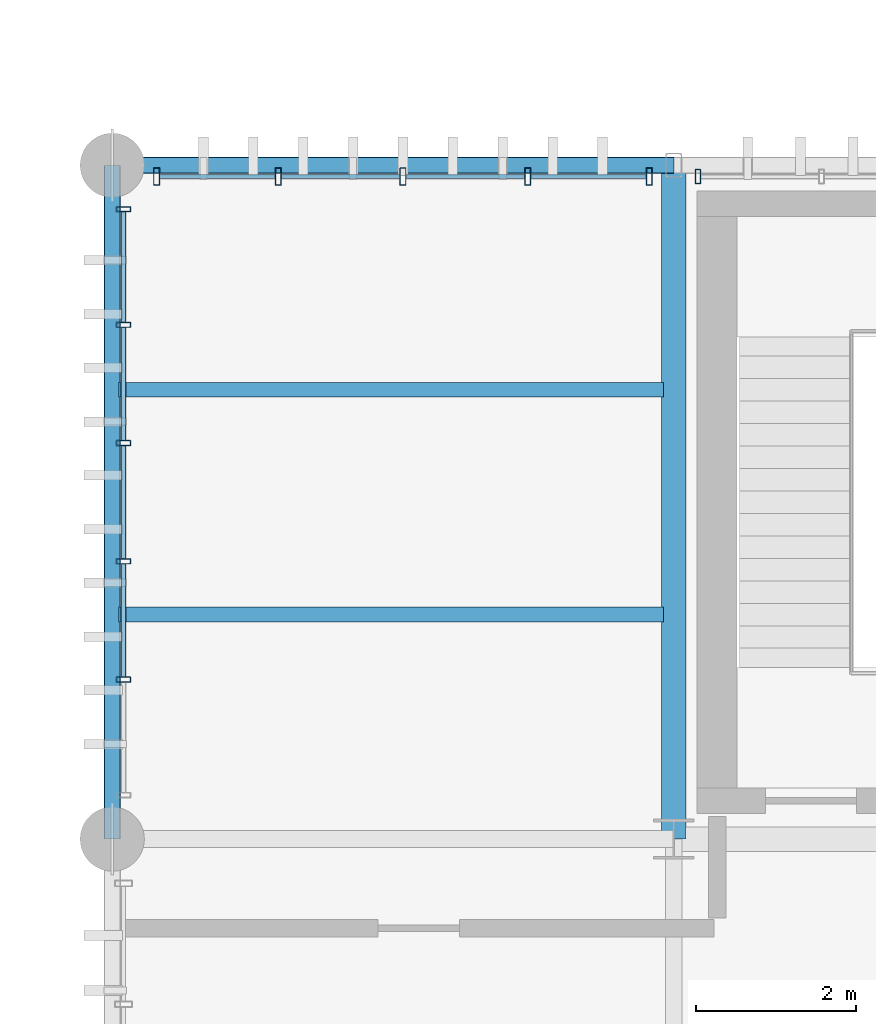
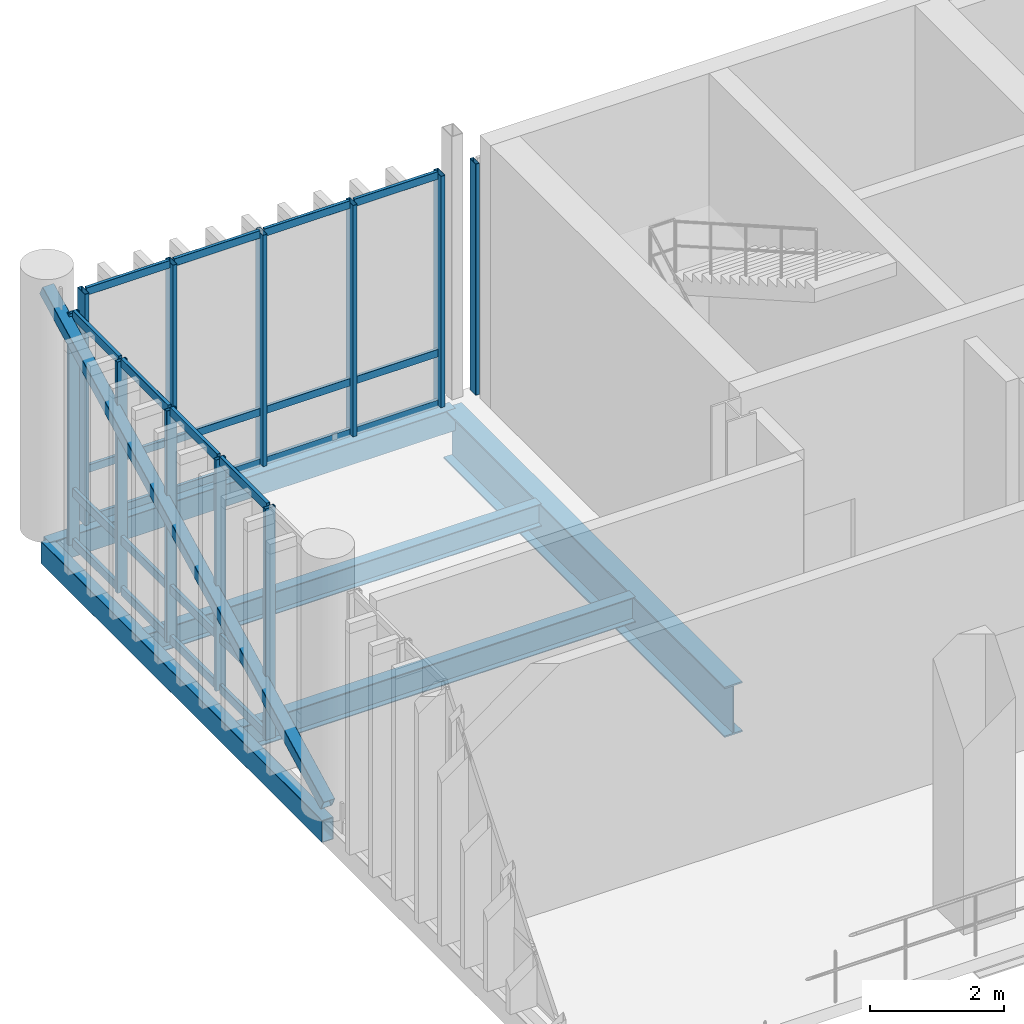
# One storey, part 29 of 109: 36 members, 5 beams, 3 elements without a shape of their own.
"""IFC4 building model written with IfcOpenShell, lengths in metres."""

from ifc_helpers import new_model, si_unit, direction, frame, origin_with_axes, origin_2d_with_axis, place, context, subcontext, project, spatial, hollow_rectangle, i_section, extrude, material, material_profile, profile_set, type_object, element, aggregate, save


model = new_model("IFC4")

# Units and contexts
model_context = context("Model", 3, precision=1e-05, world=origin_with_axes(), true_north=direction((0.0, 1.0)))
body_context = subcontext(model_context, "Body", "Model", "MODEL_VIEW")
ifc_project = project(units=[si_unit("LENGTHUNIT", "METRE"), si_unit("AREAUNIT", "SQUARE_METRE"), si_unit("VOLUMEUNIT", "CUBIC_METRE"), si_unit("PLANEANGLEUNIT", "RADIAN"), si_unit("MASSUNIT", "GRAM", prefix="KILO"), si_unit("THERMODYNAMICTEMPERATUREUNIT", "KELVIN")], contexts=[model_context])

# Site, building, storey
site_placement = place(None, origin_with_axes())
site = spatial("IfcSite", under=ifc_project, at=site_placement, CompositionType="ELEMENT")
building_placement = place(site_placement, origin_with_axes())
building = spatial("IfcBuilding", under=site, at=building_placement, Name="Montbau Bow Law Courts", CompositionType="ELEMENT")
storey_placement = place(building_placement, frame((0.0, 0.0, 10.8), z_axis=(0.0, 0.0, 1.0), x_axis=(1.0, 0.0, 0.0)))
storey = spatial("IfcBuildingStorey", under=building, at=storey_placement, Name="L02", CompositionType="ELEMENT", Elevation=10.8)

# Beams
ifc_material_1 = material(Name="Steel CSA G40.21 Grade 350W (350 MPa)", Category="steel")
ifc_material_profile_1 = material_profile(ifc_material_1, i_section(OverallWidth=0.306, OverallDepth=0.919, WebThickness=0.0173, FlangeThickness=0.0279, at=origin_2d_with_axis()), Name="W920X253", Category="Main", Priority=0)
ifc_profile_set_1 = profile_set([ifc_material_profile_1], Name="Steel CSA G40.21 Grade 350W (350 MPa)")
beam_type_1 = type_object("IfcBeamType", Name="B-FLR-01", PredefinedType="BEAM", material=ifc_profile_set_1)
beam_1_placement = place(None, frame((13.8, 46.2, 10.12), z_axis=(0.0, 1.0, 0.0), x_axis=(-1.0, 0.0, 0.0)))
element("IfcBeam", 1, at=beam_1_placement, inside=storey, type_object=beam_type_1, Name="BM-L02-S0570:bm2_0573", PredefinedType="BEAM", context=body_context, shape_type="SweptSolid", body=[
    extrude(i_section(OverallWidth=0.306, OverallDepth=0.919, WebThickness=0.0173, FlangeThickness=0.0279, at=origin_2d_with_axis()), origin_with_axes(), (0.0, 0.0, 1.0), 8.4),
])
ifc_material_profile_2 = material_profile(ifc_material_1, i_section(OverallWidth=0.191, OverallDepth=0.46, WebThickness=0.0099, FlangeThickness=0.016, at=origin_2d_with_axis()), Name="W460X82", Category="Main", Priority=0)
ifc_profile_set_2 = profile_set([ifc_material_profile_2], Name="Steel CSA G40.21 Grade 350W (350 MPa)")
beam_type_2 = type_object("IfcBeamType", Name="B-JST-01", PredefinedType="JOIST", material=ifc_profile_set_2)
beam_2_placement = place(None, frame((6.88, 49.0, 10.35), z_axis=(1.0, 0.0, 0.0), x_axis=(0.0, 1.0, 0.0)))
element("IfcBeam", 2, at=beam_2_placement, inside=storey, type_object=beam_type_2, Name="JST-L02-S0268:jst2_0268", PredefinedType="JOIST", context=body_context, shape_type="SweptSolid", body=[
    extrude(i_section(OverallWidth=0.191, OverallDepth=0.46, WebThickness=0.0099, FlangeThickness=0.016, at=origin_2d_with_axis()), origin_with_axes(), (0.0, 0.0, 1.0), 6.791),
])
ifc_material_profile_3 = material_profile(ifc_material_1, i_section(OverallWidth=0.179, OverallDepth=0.41, WebThickness=0.0088, FlangeThickness=0.0144, at=origin_2d_with_axis()), Name="W410X67", Category="Main", Priority=0)
ifc_profile_set_3 = profile_set([ifc_material_profile_3], Name="Steel CSA G40.21 Grade 350W (350 MPa)")
beam_type_3 = type_object("IfcBeamType", Name="B-JST-02", PredefinedType="JOIST", material=ifc_profile_set_3)
beam_3_placement = place(None, frame((6.88, 51.8, 10.375), z_axis=(1.0, 0.0, 0.0), x_axis=(0.0, 1.0, 0.0)))
element("IfcBeam", 3, at=beam_3_placement, inside=storey, type_object=beam_type_3, Name="JST-L02-S0269:jst2_0269", PredefinedType="JOIST", context=body_context, shape_type="SweptSolid", body=[
    extrude(i_section(OverallWidth=0.179, OverallDepth=0.41, WebThickness=0.0088, FlangeThickness=0.0144, at=origin_2d_with_axis()), origin_with_axes(), (0.0, 0.0, 1.0), 6.791),
])
ifc_material_2 = material(Name="Steel CSA G40.21 Grade 350WT (350 MPa)", Category="steel")
ifc_material_profile_4 = material_profile(ifc_material_2, hollow_rectangle(XDim=0.203, YDim=0.406, WallThickness=0.0127, InnerFilletRadius=0.0254, OuterFilletRadius=0.0127, at=origin_2d_with_axis()), Name="HSS406X203X13", Category="Main", Priority=0)
ifc_profile_set_4 = profile_set([ifc_material_profile_4], Name="Steel CSA G40.21 Grade 350WT (350 MPa)")
beam_type_4 = type_object("IfcBeamType", Name="B-SPN-01", PredefinedType="SPANDREL", material=ifc_profile_set_4)
beam_4_placement = place(None, frame((6.8, 54.6, 10.377), z_axis=(1.0, 0.0, 0.0), x_axis=(0.0, 1.0, 0.0)))
element("IfcBeam", 4, at=beam_4_placement, inside=storey, type_object=beam_type_4, Name="SPN-L02-S0561:bm2_0564", PredefinedType="SPANDREL", context=body_context, shape_type="SweptSolid", body=[
    extrude(hollow_rectangle(XDim=0.203, YDim=0.406, WallThickness=0.0127, InnerFilletRadius=0.0254, OuterFilletRadius=0.0127, at=origin_2d_with_axis()), origin_with_axes(), (0.0, 0.0, 1.0), 7.0),
])
beam_5_placement = place(None, frame((6.8, 46.2, 10.377), z_axis=(0.0, 1.0, 0.0), x_axis=(-1.0, 0.0, 0.0)))
element("IfcBeam", 5, at=beam_5_placement, inside=storey, type_object=beam_type_4, Name="SPN-L02-S0568:bm2_0571", PredefinedType="SPANDREL", context=body_context, shape_type="SweptSolid", body=[
    extrude(hollow_rectangle(XDim=0.203, YDim=0.406, WallThickness=0.0127, InnerFilletRadius=0.0254, OuterFilletRadius=0.0127, at=origin_2d_with_axis()), origin_with_axes(), (0.0, 0.0, 1.0), 8.4),
])

# Member
ifc_material_profile_5 = material_profile(ifc_material_1, hollow_rectangle(XDim=0.203, YDim=0.203, WallThickness=0.0111, InnerFilletRadius=0.0222, OuterFilletRadius=0.0111, at=origin_2d_with_axis()), Name="HSS203X203X11", Category="Main", Priority=0)
ifc_profile_set_5 = profile_set([ifc_material_profile_5], Name="Steel CSA G40.21 Grade 350W (350 MPa)")
member_type_1 = type_object("IfcMemberType", Name="M-BRC-02", PredefinedType="BRACE", material=ifc_profile_set_5)
member_1_placement = place(None, frame((6.8, 46.2, 10.85), z_axis=(0.0, 0.889847239, 0.456258579), x_axis=(-1.0, 0.0, 0.0)))
element("IfcMember", 6, at=member_1_placement, inside=storey, type_object=member_type_1, Name="Diagonal brace CBF-L02-040A", PredefinedType="BRACE", context=body_context, shape_type="SweptSolid", body=[
    extrude(hollow_rectangle(XDim=0.203, YDim=0.203, WallThickness=0.0111, InnerFilletRadius=0.0222, OuterFilletRadius=0.0111, at=origin_2d_with_axis()), origin_with_axes(), (0.0, 0.0, 1.0), 9.439823),
])

# Curtain wall, members
ifc_material_3 = material(Name="Thermally Broken Extruded Aluminium AA 6063-T6", Category="aluminium")
curtain_wall_type = type_object("IfcCurtainWallType", Name="CW-TRC-01", PredefinedType="NOTDEFINED", material=ifc_material_3)
curtain_wall_1_placement = place(None, frame((7.315, 54.46, 10.8), z_axis=(0.0, 0.0, 1.0), x_axis=(1.0, 0.0, 0.0)))
curtain_wall_1 = element("IfcCurtainWall", 7, at=curtain_wall_1_placement, inside=storey, type_object=curtain_wall_type, Name="CW-L02-039:cw_0039", PredefinedType="NOTDEFINED")
ifc_material_profile_6 = material_profile(ifc_material_3, hollow_rectangle(XDim=0.075, YDim=0.22, WallThickness=0.005, InnerFilletRadius=0.01, OuterFilletRadius=0.005, at=origin_2d_with_axis()), Name="CWM-220X75", Category="Main", Priority=0)
ifc_profile_set_6 = profile_set([ifc_material_profile_6], Name="Thermally Broken Extruded Aluminium AA 6063-T6")
member_type_2 = type_object("IfcMemberType", Name="M-MUL-01", PredefinedType="MULLION", material=ifc_profile_set_6)
member_2_placement = place(None, frame((7.352, 54.46, 10.8), z_axis=(0.0, 0.0, 1.0), x_axis=(1.0, 0.0, 0.0)))
member_2 = element("IfcMember", 8, at=member_2_placement, type_object=member_type_2, Name="CW-L02-039-M01:cw_0039_M01", PredefinedType="MULLION", context=body_context, shape_type="SweptSolid", body=[
    extrude(hollow_rectangle(XDim=0.075, YDim=0.22, WallThickness=0.005, InnerFilletRadius=0.01, OuterFilletRadius=0.005, at=origin_2d_with_axis()), origin_with_axes(), (0.0, 0.0, 1.0), 4.22),
])
member_3_placement = place(None, frame((8.869, 54.46, 10.8), z_axis=(0.0, 0.0, 1.0), x_axis=(1.0, 0.0, 0.0)))
member_3 = element("IfcMember", 9, at=member_3_placement, type_object=member_type_2, Name="CW-L02-039-M02:cw_0039_M02", PredefinedType="MULLION", context=body_context, shape_type="SweptSolid", body=[
    extrude(hollow_rectangle(XDim=0.075, YDim=0.22, WallThickness=0.005, InnerFilletRadius=0.01, OuterFilletRadius=0.005, at=origin_2d_with_axis()), origin_with_axes(), (0.0, 0.0, 1.0), 4.22),
])
member_4_placement = place(None, frame((10.424, 54.46, 10.8), z_axis=(0.0, 0.0, 1.0), x_axis=(1.0, 0.0, 0.0)))
member_4 = element("IfcMember", 10, at=member_4_placement, type_object=member_type_2, Name="CW-L02-039-M03:cw_0039_M03", PredefinedType="MULLION", context=body_context, shape_type="SweptSolid", body=[
    extrude(hollow_rectangle(XDim=0.075, YDim=0.22, WallThickness=0.005, InnerFilletRadius=0.01, OuterFilletRadius=0.005, at=origin_2d_with_axis()), origin_with_axes(), (0.0, 0.0, 1.0), 4.22),
])
member_5_placement = place(None, frame((11.978, 54.46, 10.8), z_axis=(0.0, 0.0, 1.0), x_axis=(1.0, 0.0, 0.0)))
member_5 = element("IfcMember", 11, at=member_5_placement, type_object=member_type_2, Name="CW-L02-039-M04:cw_0039_M04", PredefinedType="MULLION", context=body_context, shape_type="SweptSolid", body=[
    extrude(hollow_rectangle(XDim=0.075, YDim=0.22, WallThickness=0.005, InnerFilletRadius=0.01, OuterFilletRadius=0.005, at=origin_2d_with_axis()), origin_with_axes(), (0.0, 0.0, 1.0), 4.22),
])
member_6_placement = place(None, frame((13.495, 54.46, 10.8), z_axis=(0.0, 0.0, 1.0), x_axis=(1.0, 0.0, 0.0)))
member_6 = element("IfcMember", 12, at=member_6_placement, type_object=member_type_2, Name="CW-L02-039-M05:cw_0039_M05", PredefinedType="MULLION", context=body_context, shape_type="SweptSolid", body=[
    extrude(hollow_rectangle(XDim=0.075, YDim=0.22, WallThickness=0.005, InnerFilletRadius=0.01, OuterFilletRadius=0.005, at=origin_2d_with_axis()), origin_with_axes(), (0.0, 0.0, 1.0), 4.22),
])

# Curtain wall, member
curtain_wall_2_placement = place(None, frame((14.068, 54.46, 10.8), z_axis=(0.0, 0.0, 1.0), x_axis=(1.0, 0.0, 0.0)))
curtain_wall_2 = element("IfcCurtainWall", 13, at=curtain_wall_2_placement, inside=storey, type_object=curtain_wall_type, Name="CW-L02-040:cw_0040", PredefinedType="NOTDEFINED")
ifc_material_profile_7 = material_profile(ifc_material_3, hollow_rectangle(XDim=0.065, YDim=0.18, WallThickness=0.005, InnerFilletRadius=0.01, OuterFilletRadius=0.005, at=origin_2d_with_axis()), Name="CWM-180X65", Category="Main", Priority=0)
ifc_profile_set_7 = profile_set([ifc_material_profile_7], Name="Thermally Broken Extruded Aluminium AA 6063-T6")
member_type_3 = type_object("IfcMemberType", Name="M-MUL-02", PredefinedType="MULLION", material=ifc_profile_set_7)
member_7_placement = place(None, frame((14.101, 54.46, 10.8), z_axis=(0.0, 0.0, 1.0), x_axis=(1.0, 0.0, 0.0)))
member_7 = element("IfcMember", 14, at=member_7_placement, type_object=member_type_3, Name="CW-L02-040-M01:cw_0040_M01", PredefinedType="MULLION", context=body_context, shape_type="SweptSolid", body=[
    extrude(hollow_rectangle(XDim=0.065, YDim=0.18, WallThickness=0.005, InnerFilletRadius=0.01, OuterFilletRadius=0.005, at=origin_2d_with_axis()), origin_with_axes(), (0.0, 0.0, 1.0), 4.22),
])
aggregate(curtain_wall_2, [member_7])

# Curtain wall, members
curtain_wall_3_placement = place(None, frame((6.94, 46.715, 10.8), z_axis=(0.0, 0.0, 1.0), x_axis=(1.0, 0.0, 0.0)))
curtain_wall_3 = element("IfcCurtainWall", 15, at=curtain_wall_3_placement, inside=storey, type_object=curtain_wall_type, Name="CW-L02-046:cw_0046", PredefinedType="NOTDEFINED")
member_8_placement = place(None, frame((6.94, 48.189, 10.8), z_axis=(0.0, 0.0, 1.0), x_axis=(0.0, 1.0, 0.0)))
member_8 = element("IfcMember", 16, at=member_8_placement, type_object=member_type_3, Name="CW-L02-046-M02:cw_0046_M02", PredefinedType="MULLION", context=body_context, shape_type="SweptSolid", body=[
    extrude(hollow_rectangle(XDim=0.065, YDim=0.18, WallThickness=0.005, InnerFilletRadius=0.01, OuterFilletRadius=0.005, at=origin_2d_with_axis()), origin_with_axes(), (0.0, 0.0, 1.0), 4.22),
])
member_9_placement = place(None, frame((6.94, 49.663, 10.8), z_axis=(0.0, 0.0, 1.0), x_axis=(0.0, 1.0, 0.0)))
member_9 = element("IfcMember", 17, at=member_9_placement, type_object=member_type_3, Name="CW-L02-046-M03:cw_0046_M03", PredefinedType="MULLION", context=body_context, shape_type="SweptSolid", body=[
    extrude(hollow_rectangle(XDim=0.065, YDim=0.18, WallThickness=0.005, InnerFilletRadius=0.01, OuterFilletRadius=0.005, at=origin_2d_with_axis()), origin_with_axes(), (0.0, 0.0, 1.0), 4.22),
])
member_10_placement = place(None, frame((6.94, 51.137, 10.8), z_axis=(0.0, 0.0, 1.0), x_axis=(0.0, 1.0, 0.0)))
member_10 = element("IfcMember", 18, at=member_10_placement, type_object=member_type_3, Name="CW-L02-046-M04:cw_0046_M04", PredefinedType="MULLION", context=body_context, shape_type="SweptSolid", body=[
    extrude(hollow_rectangle(XDim=0.065, YDim=0.18, WallThickness=0.005, InnerFilletRadius=0.01, OuterFilletRadius=0.005, at=origin_2d_with_axis()), origin_with_axes(), (0.0, 0.0, 1.0), 4.22),
])
member_11_placement = place(None, frame((6.94, 52.611, 10.8), z_axis=(0.0, 0.0, 1.0), x_axis=(0.0, 1.0, 0.0)))
member_11 = element("IfcMember", 19, at=member_11_placement, type_object=member_type_3, Name="CW-L02-046-M05:cw_0046_M05", PredefinedType="MULLION", context=body_context, shape_type="SweptSolid", body=[
    extrude(hollow_rectangle(XDim=0.065, YDim=0.18, WallThickness=0.005, InnerFilletRadius=0.01, OuterFilletRadius=0.005, at=origin_2d_with_axis()), origin_with_axes(), (0.0, 0.0, 1.0), 4.22),
])
member_12_placement = place(None, frame((6.94, 54.052, 10.8), z_axis=(0.0, 0.0, 1.0), x_axis=(0.0, 1.0, 0.0)))
member_12 = element("IfcMember", 20, at=member_12_placement, type_object=member_type_3, Name="CW-L02-046-M06:cw_0046_M06", PredefinedType="MULLION", context=body_context, shape_type="SweptSolid", body=[
    extrude(hollow_rectangle(XDim=0.065, YDim=0.18, WallThickness=0.005, InnerFilletRadius=0.01, OuterFilletRadius=0.005, at=origin_2d_with_axis()), origin_with_axes(), (0.0, 0.0, 1.0), 4.22),
])
ifc_material_profile_8 = material_profile(ifc_material_3, hollow_rectangle(XDim=0.06, YDim=0.16, WallThickness=0.004, InnerFilletRadius=0.008, OuterFilletRadius=0.004, at=origin_2d_with_axis()), Name="CWT-160X60", Category="Main", Priority=0)
ifc_profile_set_8 = profile_set([ifc_material_profile_8], Name="Thermally Broken Extruded Aluminium AA 6063-T6")
member_type_4 = type_object("IfcMemberType", Name="M-TRN-01", PredefinedType="USERDEFINED", material=ifc_profile_set_8)
member_13_placement = place(None, frame((6.94, 48.223, 10.83), z_axis=(0.0, 1.0, 0.0), x_axis=(-1.0, 0.0, 0.0)))
member_13 = element("IfcMember", 21, at=member_13_placement, type_object=member_type_4, Name="CW-L02-046-T02-1:cw_0046_T02_1", ObjectType="TRANSOM", PredefinedType="USERDEFINED", context=body_context, shape_type="SweptSolid", body=[
    extrude(hollow_rectangle(XDim=0.06, YDim=0.16, WallThickness=0.004, InnerFilletRadius=0.008, OuterFilletRadius=0.004, at=origin_2d_with_axis()), origin_with_axes(), (0.0, 0.0, 1.0), 1.405),
])
member_14_placement = place(None, frame((6.94, 48.223, 11.75), z_axis=(0.0, 1.0, 0.0), x_axis=(-1.0, 0.0, 0.0)))
member_14 = element("IfcMember", 22, at=member_14_placement, type_object=member_type_4, Name="CW-L02-046-T02-2:cw_0046_T02_2", ObjectType="TRANSOM", PredefinedType="USERDEFINED", context=body_context, shape_type="SweptSolid", body=[
    extrude(hollow_rectangle(XDim=0.06, YDim=0.16, WallThickness=0.004, InnerFilletRadius=0.008, OuterFilletRadius=0.004, at=origin_2d_with_axis()), origin_with_axes(), (0.0, 0.0, 1.0), 1.405),
])
member_15_placement = place(None, frame((6.94, 48.223, 14.99), z_axis=(0.0, 1.0, 0.0), x_axis=(-1.0, 0.0, 0.0)))
member_15 = element("IfcMember", 23, at=member_15_placement, type_object=member_type_4, Name="CW-L02-046-T02-3:cw_0046_T02_3", ObjectType="TRANSOM", PredefinedType="USERDEFINED", context=body_context, shape_type="SweptSolid", body=[
    extrude(hollow_rectangle(XDim=0.06, YDim=0.16, WallThickness=0.004, InnerFilletRadius=0.008, OuterFilletRadius=0.004, at=origin_2d_with_axis()), origin_with_axes(), (0.0, 0.0, 1.0), 1.405),
])
member_16_placement = place(None, frame((6.94, 49.697, 10.83), z_axis=(0.0, 1.0, 0.0), x_axis=(-1.0, 0.0, 0.0)))
member_16 = element("IfcMember", 24, at=member_16_placement, type_object=member_type_4, Name="CW-L02-046-T03-1:cw_0046_T03_1", ObjectType="TRANSOM", PredefinedType="USERDEFINED", context=body_context, shape_type="SweptSolid", body=[
    extrude(hollow_rectangle(XDim=0.06, YDim=0.16, WallThickness=0.004, InnerFilletRadius=0.008, OuterFilletRadius=0.004, at=origin_2d_with_axis()), origin_with_axes(), (0.0, 0.0, 1.0), 1.406),
])
member_17_placement = place(None, frame((6.94, 49.697, 11.75), z_axis=(0.0, 1.0, 0.0), x_axis=(-1.0, 0.0, 0.0)))
member_17 = element("IfcMember", 25, at=member_17_placement, type_object=member_type_4, Name="CW-L02-046-T03-2:cw_0046_T03_2", ObjectType="TRANSOM", PredefinedType="USERDEFINED", context=body_context, shape_type="SweptSolid", body=[
    extrude(hollow_rectangle(XDim=0.06, YDim=0.16, WallThickness=0.004, InnerFilletRadius=0.008, OuterFilletRadius=0.004, at=origin_2d_with_axis()), origin_with_axes(), (0.0, 0.0, 1.0), 1.406),
])
member_18_placement = place(None, frame((6.94, 49.697, 14.99), z_axis=(0.0, 1.0, 0.0), x_axis=(-1.0, 0.0, 0.0)))
member_18 = element("IfcMember", 26, at=member_18_placement, type_object=member_type_4, Name="CW-L02-046-T03-3:cw_0046_T03_3", ObjectType="TRANSOM", PredefinedType="USERDEFINED", context=body_context, shape_type="SweptSolid", body=[
    extrude(hollow_rectangle(XDim=0.06, YDim=0.16, WallThickness=0.004, InnerFilletRadius=0.008, OuterFilletRadius=0.004, at=origin_2d_with_axis()), origin_with_axes(), (0.0, 0.0, 1.0), 1.406),
])
member_19_placement = place(None, frame((6.94, 51.171, 10.83), z_axis=(0.0, 1.0, 0.0), x_axis=(-1.0, 0.0, 0.0)))
member_19 = element("IfcMember", 27, at=member_19_placement, type_object=member_type_4, Name="CW-L02-046-T04-1:cw_0046_T04_1", ObjectType="TRANSOM", PredefinedType="USERDEFINED", context=body_context, shape_type="SweptSolid", body=[
    extrude(hollow_rectangle(XDim=0.06, YDim=0.16, WallThickness=0.004, InnerFilletRadius=0.008, OuterFilletRadius=0.004, at=origin_2d_with_axis()), origin_with_axes(), (0.0, 0.0, 1.0), 1.406),
])
member_20_placement = place(None, frame((6.94, 51.171, 11.75), z_axis=(0.0, 1.0, 0.0), x_axis=(-1.0, 0.0, 0.0)))
member_20 = element("IfcMember", 28, at=member_20_placement, type_object=member_type_4, Name="CW-L02-046-T04-2:cw_0046_T04_2", ObjectType="TRANSOM", PredefinedType="USERDEFINED", context=body_context, shape_type="SweptSolid", body=[
    extrude(hollow_rectangle(XDim=0.06, YDim=0.16, WallThickness=0.004, InnerFilletRadius=0.008, OuterFilletRadius=0.004, at=origin_2d_with_axis()), origin_with_axes(), (0.0, 0.0, 1.0), 1.406),
])
member_21_placement = place(None, frame((6.94, 51.171, 14.99), z_axis=(0.0, 1.0, 0.0), x_axis=(-1.0, 0.0, 0.0)))
member_21 = element("IfcMember", 29, at=member_21_placement, type_object=member_type_4, Name="CW-L02-046-T04-3:cw_0046_T04_3", ObjectType="TRANSOM", PredefinedType="USERDEFINED", context=body_context, shape_type="SweptSolid", body=[
    extrude(hollow_rectangle(XDim=0.06, YDim=0.16, WallThickness=0.004, InnerFilletRadius=0.008, OuterFilletRadius=0.004, at=origin_2d_with_axis()), origin_with_axes(), (0.0, 0.0, 1.0), 1.406),
])
member_22_placement = place(None, frame((6.94, 52.645, 10.83), z_axis=(0.0, 1.0, 0.0), x_axis=(-1.0, 0.0, 0.0)))
member_22 = element("IfcMember", 30, at=member_22_placement, type_object=member_type_4, Name="CW-L02-046-T05-1:cw_0046_T05_1", ObjectType="TRANSOM", PredefinedType="USERDEFINED", context=body_context, shape_type="SweptSolid", body=[
    extrude(hollow_rectangle(XDim=0.06, YDim=0.16, WallThickness=0.004, InnerFilletRadius=0.008, OuterFilletRadius=0.004, at=origin_2d_with_axis()), origin_with_axes(), (0.0, 0.0, 1.0), 1.373),
])
member_23_placement = place(None, frame((6.94, 52.645, 11.75), z_axis=(0.0, 1.0, 0.0), x_axis=(-1.0, 0.0, 0.0)))
member_23 = element("IfcMember", 31, at=member_23_placement, type_object=member_type_4, Name="CW-L02-046-T05-2:cw_0046_T05_2", ObjectType="TRANSOM", PredefinedType="USERDEFINED", context=body_context, shape_type="SweptSolid", body=[
    extrude(hollow_rectangle(XDim=0.06, YDim=0.16, WallThickness=0.004, InnerFilletRadius=0.008, OuterFilletRadius=0.004, at=origin_2d_with_axis()), origin_with_axes(), (0.0, 0.0, 1.0), 1.373),
])
member_24_placement = place(None, frame((6.94, 52.645, 14.99), z_axis=(0.0, 1.0, 0.0), x_axis=(-1.0, 0.0, 0.0)))
member_24 = element("IfcMember", 32, at=member_24_placement, type_object=member_type_4, Name="CW-L02-046-T05-3:cw_0046_T05_3", ObjectType="TRANSOM", PredefinedType="USERDEFINED", context=body_context, shape_type="SweptSolid", body=[
    extrude(hollow_rectangle(XDim=0.06, YDim=0.16, WallThickness=0.004, InnerFilletRadius=0.008, OuterFilletRadius=0.004, at=origin_2d_with_axis()), origin_with_axes(), (0.0, 0.0, 1.0), 1.373),
])
aggregate(curtain_wall_3, [member_8, member_9, member_10, member_11, member_12, member_13, member_14, member_15, member_16, member_17, member_18, member_19, member_20, member_21, member_22, member_23, member_24])

# Member
ifc_material_profile_9 = material_profile(ifc_material_3, hollow_rectangle(XDim=0.055, YDim=0.14, WallThickness=0.004, InnerFilletRadius=0.008, OuterFilletRadius=0.004, at=origin_2d_with_axis()), Name="CWT-140X55", Category="Main", Priority=0)
ifc_profile_set_9 = profile_set([ifc_material_profile_9], Name="Thermally Broken Extruded Aluminium AA 6063-T6")
member_type_5 = type_object("IfcMemberType", Name="M-TRN-02", PredefinedType="USERDEFINED", material=ifc_profile_set_9)
member_25_placement = place(None, frame((7.391, 54.46, 10.828), z_axis=(1.0, 0.0, 0.0), x_axis=(0.0, 1.0, 0.0)))
member_25 = element("IfcMember", 33, at=member_25_placement, type_object=member_type_5, Name="CW-L02-039-T01-1:cw_0039_T01_1", ObjectType="TRANSOM", PredefinedType="USERDEFINED", context=body_context, shape_type="SweptSolid", body=[
    extrude(hollow_rectangle(XDim=0.055, YDim=0.14, WallThickness=0.004, InnerFilletRadius=0.008, OuterFilletRadius=0.004, at=origin_2d_with_axis()), origin_with_axes(), (0.0, 0.0, 1.0), 1.438),
])

member_26_placement = place(None, frame((7.391, 54.46, 11.75), z_axis=(1.0, 0.0, 0.0), x_axis=(0.0, 1.0, 0.0)))
member_26 = element("IfcMember", 34, at=member_26_placement, type_object=member_type_5, Name="CW-L02-039-T01-2:cw_0039_T01_2", ObjectType="TRANSOM", PredefinedType="USERDEFINED", context=body_context, shape_type="SweptSolid", body=[
    extrude(hollow_rectangle(XDim=0.055, YDim=0.14, WallThickness=0.004, InnerFilletRadius=0.008, OuterFilletRadius=0.004, at=origin_2d_with_axis()), origin_with_axes(), (0.0, 0.0, 1.0), 1.438),
])

member_27_placement = place(None, frame((7.391, 54.46, 14.992), z_axis=(1.0, 0.0, 0.0), x_axis=(0.0, 1.0, 0.0)))
member_27 = element("IfcMember", 35, at=member_27_placement, type_object=member_type_5, Name="CW-L02-039-T01-3:cw_0039_T01_3", ObjectType="TRANSOM", PredefinedType="USERDEFINED", context=body_context, shape_type="SweptSolid", body=[
    extrude(hollow_rectangle(XDim=0.055, YDim=0.14, WallThickness=0.004, InnerFilletRadius=0.008, OuterFilletRadius=0.004, at=origin_2d_with_axis()), origin_with_axes(), (0.0, 0.0, 1.0), 1.438),
])

member_28_placement = place(None, frame((8.909, 54.46, 10.828), z_axis=(1.0, 0.0, 0.0), x_axis=(0.0, 1.0, 0.0)))
member_28 = element("IfcMember", 36, at=member_28_placement, type_object=member_type_5, Name="CW-L02-039-T02-1:cw_0039_T02_1", ObjectType="TRANSOM", PredefinedType="USERDEFINED", context=body_context, shape_type="SweptSolid", body=[
    extrude(hollow_rectangle(XDim=0.055, YDim=0.14, WallThickness=0.004, InnerFilletRadius=0.008, OuterFilletRadius=0.004, at=origin_2d_with_axis()), origin_with_axes(), (0.0, 0.0, 1.0), 1.476),
])

member_29_placement = place(None, frame((8.909, 54.46, 11.75), z_axis=(1.0, 0.0, 0.0), x_axis=(0.0, 1.0, 0.0)))
member_29 = element("IfcMember", 37, at=member_29_placement, type_object=member_type_5, Name="CW-L02-039-T02-2:cw_0039_T02_2", ObjectType="TRANSOM", PredefinedType="USERDEFINED", context=body_context, shape_type="SweptSolid", body=[
    extrude(hollow_rectangle(XDim=0.055, YDim=0.14, WallThickness=0.004, InnerFilletRadius=0.008, OuterFilletRadius=0.004, at=origin_2d_with_axis()), origin_with_axes(), (0.0, 0.0, 1.0), 1.476),
])

member_30_placement = place(None, frame((8.909, 54.46, 14.992), z_axis=(1.0, 0.0, 0.0), x_axis=(0.0, 1.0, 0.0)))
member_30 = element("IfcMember", 38, at=member_30_placement, type_object=member_type_5, Name="CW-L02-039-T02-3:cw_0039_T02_3", ObjectType="TRANSOM", PredefinedType="USERDEFINED", context=body_context, shape_type="SweptSolid", body=[
    extrude(hollow_rectangle(XDim=0.055, YDim=0.14, WallThickness=0.004, InnerFilletRadius=0.008, OuterFilletRadius=0.004, at=origin_2d_with_axis()), origin_with_axes(), (0.0, 0.0, 1.0), 1.476),
])

member_31_placement = place(None, frame((10.463, 54.46, 10.828), z_axis=(1.0, 0.0, 0.0), x_axis=(0.0, 1.0, 0.0)))
member_31 = element("IfcMember", 39, at=member_31_placement, type_object=member_type_5, Name="CW-L02-039-T03-1:cw_0039_T03_1", ObjectType="TRANSOM", PredefinedType="USERDEFINED", context=body_context, shape_type="SweptSolid", body=[
    extrude(hollow_rectangle(XDim=0.055, YDim=0.14, WallThickness=0.004, InnerFilletRadius=0.008, OuterFilletRadius=0.004, at=origin_2d_with_axis()), origin_with_axes(), (0.0, 0.0, 1.0), 1.476),
])

member_32_placement = place(None, frame((10.463, 54.46, 11.75), z_axis=(1.0, 0.0, 0.0), x_axis=(0.0, 1.0, 0.0)))
member_32 = element("IfcMember", 40, at=member_32_placement, type_object=member_type_5, Name="CW-L02-039-T03-2:cw_0039_T03_2", ObjectType="TRANSOM", PredefinedType="USERDEFINED", context=body_context, shape_type="SweptSolid", body=[
    extrude(hollow_rectangle(XDim=0.055, YDim=0.14, WallThickness=0.004, InnerFilletRadius=0.008, OuterFilletRadius=0.004, at=origin_2d_with_axis()), origin_with_axes(), (0.0, 0.0, 1.0), 1.476),
])

member_33_placement = place(None, frame((10.463, 54.46, 14.992), z_axis=(1.0, 0.0, 0.0), x_axis=(0.0, 1.0, 0.0)))
member_33 = element("IfcMember", 41, at=member_33_placement, type_object=member_type_5, Name="CW-L02-039-T03-3:cw_0039_T03_3", ObjectType="TRANSOM", PredefinedType="USERDEFINED", context=body_context, shape_type="SweptSolid", body=[
    extrude(hollow_rectangle(XDim=0.055, YDim=0.14, WallThickness=0.004, InnerFilletRadius=0.008, OuterFilletRadius=0.004, at=origin_2d_with_axis()), origin_with_axes(), (0.0, 0.0, 1.0), 1.476),
])

member_34_placement = place(None, frame((12.017, 54.46, 10.828), z_axis=(1.0, 0.0, 0.0), x_axis=(0.0, 1.0, 0.0)))
member_34 = element("IfcMember", 42, at=member_34_placement, type_object=member_type_5, Name="CW-L02-039-T04-1:cw_0039_T04_1", ObjectType="TRANSOM", PredefinedType="USERDEFINED", context=body_context, shape_type="SweptSolid", body=[
    extrude(hollow_rectangle(XDim=0.055, YDim=0.14, WallThickness=0.004, InnerFilletRadius=0.008, OuterFilletRadius=0.004, at=origin_2d_with_axis()), origin_with_axes(), (0.0, 0.0, 1.0), 1.439),
])

member_35_placement = place(None, frame((12.017, 54.46, 11.75), z_axis=(1.0, 0.0, 0.0), x_axis=(0.0, 1.0, 0.0)))
member_35 = element("IfcMember", 43, at=member_35_placement, type_object=member_type_5, Name="CW-L02-039-T04-2:cw_0039_T04_2", ObjectType="TRANSOM", PredefinedType="USERDEFINED", context=body_context, shape_type="SweptSolid", body=[
    extrude(hollow_rectangle(XDim=0.055, YDim=0.14, WallThickness=0.004, InnerFilletRadius=0.008, OuterFilletRadius=0.004, at=origin_2d_with_axis()), origin_with_axes(), (0.0, 0.0, 1.0), 1.439),
])

member_36_placement = place(None, frame((12.017, 54.46, 14.992), z_axis=(1.0, 0.0, 0.0), x_axis=(0.0, 1.0, 0.0)))
member_36 = element("IfcMember", 44, at=member_36_placement, type_object=member_type_5, Name="CW-L02-039-T04-3:cw_0039_T04_3", ObjectType="TRANSOM", PredefinedType="USERDEFINED", context=body_context, shape_type="SweptSolid", body=[
    extrude(hollow_rectangle(XDim=0.055, YDim=0.14, WallThickness=0.004, InnerFilletRadius=0.008, OuterFilletRadius=0.004, at=origin_2d_with_axis()), origin_with_axes(), (0.0, 0.0, 1.0), 1.439),
])

aggregate(curtain_wall_1, [member_2, member_3, member_4, member_5, member_6, member_25, member_26, member_27, member_28, member_29, member_30, member_31, member_32, member_33, member_34, member_35, member_36])

save(model, "model.ifc")
